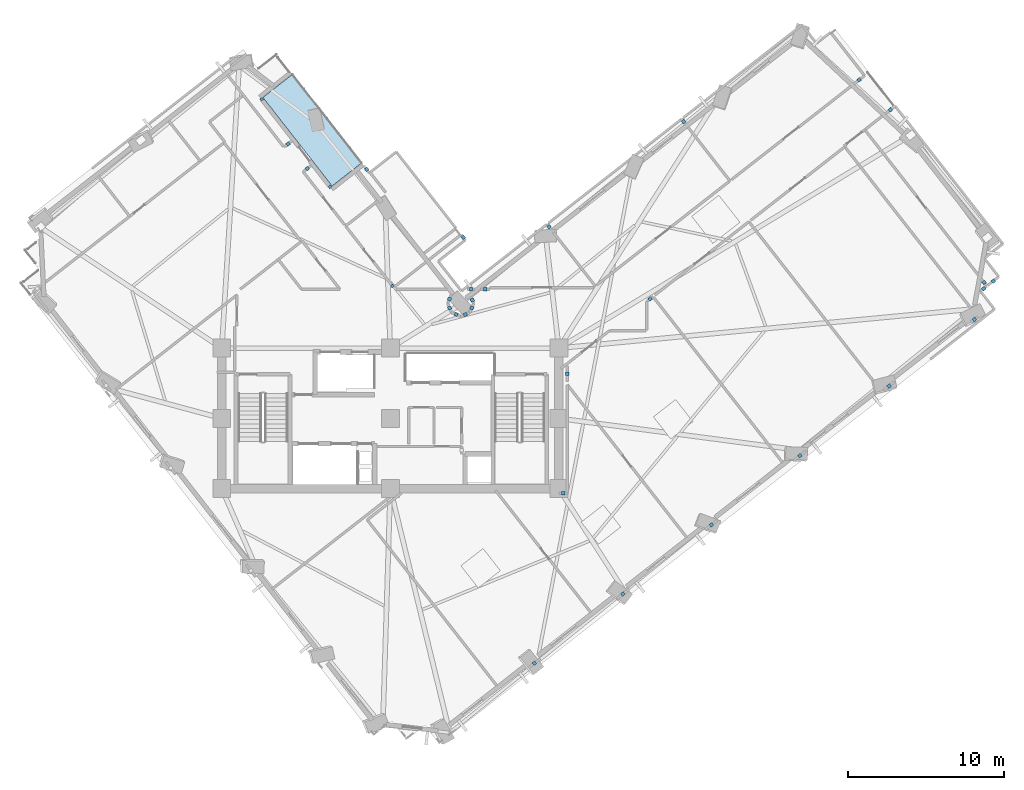
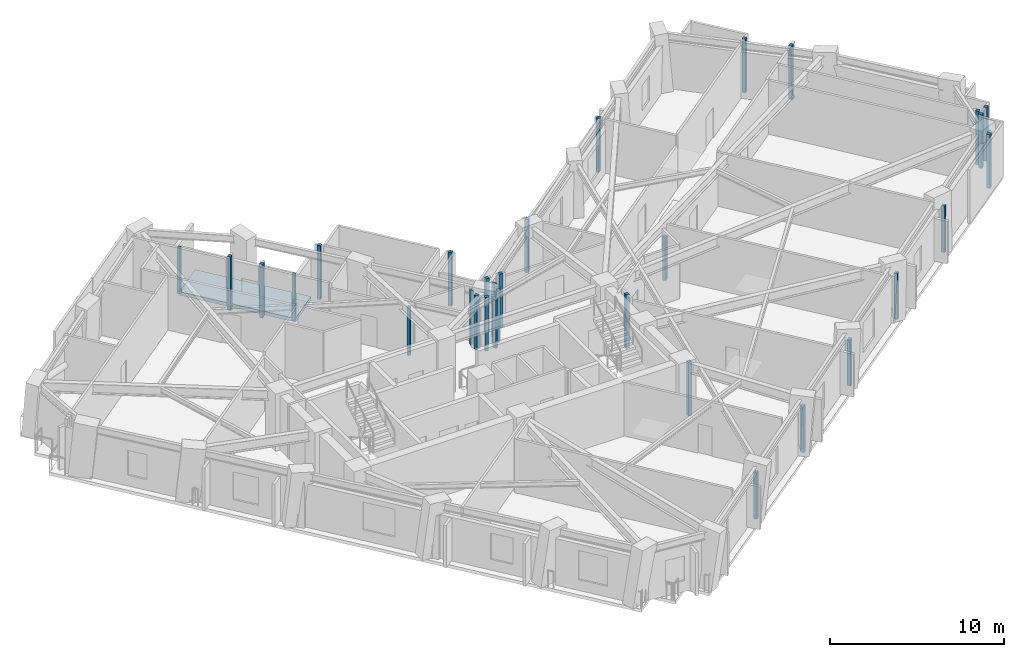
# One storey, part 4 of 14: 31 plates, 1 slab.
"""IFC4 building model written with IfcOpenShell, lengths in metres."""

from ifc_helpers import new_model, si_unit, direction, frame, origin, origin_2d, place, context, subcontext, project, spatial, polyline, rectangle, outline, extrude, material, layer, layer_set, type_object, element, save


model = new_model("IFC4")

# Units and contexts
model_context = context("Model", 3, precision=1e-05, world=origin(), true_north=direction((0.0, 1.0)))
body_context = subcontext(model_context, "Body", "Model", "MODEL_VIEW")
ifc_project = project(units=[si_unit("LENGTHUNIT", "METRE"), si_unit("AREAUNIT", "SQUARE_METRE"), si_unit("VOLUMEUNIT", "CUBIC_METRE"), si_unit("PLANEANGLEUNIT", "RADIAN"), si_unit("MASSUNIT", "GRAM", prefix="KILO")], contexts=[model_context])

# Site, building, storey
site_placement = place(None, origin())
site = spatial("IfcSite", under=ifc_project, at=site_placement, CompositionType="ELEMENT")
building_placement = place(site_placement, origin())
building = spatial("IfcBuilding", under=site, at=building_placement, Name="Gaonmaruhae Medical Tower", CompositionType="ELEMENT")
storey_placement = place(building_placement, frame((0.0, 0.0, 185.800048828125)))
storey = spatial("IfcBuildingStorey", under=building, at=storey_placement, Name="L44", CompositionType="ELEMENT", Elevation=185.800048828125)

# Plates
ifc_material_1 = material(Name="Anodised aluminium 6063-T6", Category="aluminium")
ifc_layer_1 = layer(ifc_material_1, 0.011962890625)
ifc_layer_set_1 = layer_set([ifc_layer_1], Name="Anodised aluminium 6063-T6")
plate_type = type_object("IfcPlateType", Name="PP-01 Interior Partition Corner Stiffener Plate", PredefinedType="SHEET", material=ifc_layer_set_1)
for number, where, z_axis, x_axis, name in (
    (1, (16.552001953125, 32.749267578125, 0.0), (0.0, 0.0, 1.0), (0.615661475326, -0.788010753607, 0.0), "L44 Partition End Jamb Post Plate PLT-L44-ENDP-TERB-0"),
    (2, (20.935546875, 27.138671875, 0.0), (0.0, 0.0, 1.0), (0.615661475326, -0.788010753607, 0.0), "L44 Partition End Jamb Post Plate PLT-L44-ENDP-TERB-1"),
):
    element("IfcPlate", number, at=place(storey_placement, frame(where, z_axis=z_axis, x_axis=x_axis)), inside=storey, type_object=plate_type, Name=name, PredefinedType="SHEET", context=body_context, shape_type="SweptSolid", body=[
        extrude(rectangle(XDim=0.179931640625, YDim=0.179931640625, at=origin_2d()), origin(), (0.0, 0.0, 1.0), 3.264892578125),
    ])
plate_1_placement = place(storey_placement, frame((24.92919921875, 20.7919921875, 0.0), z_axis=(0.0, 0.0, 1.0), x_axis=(-0.61564772185, 0.788021498807, 0.0)))
element("IfcPlate", 3, at=plate_1_placement, inside=storey, type_object=plate_type, Name="L44 Partition End Jamb Post Plate PLT-L44-ENDP-PW076-0", PredefinedType="SHEET", context=body_context, shape_type="SweptSolid", body=[
    extrude(rectangle(XDim=0.179931640625, YDim=0.179931640625, at=origin_2d()), origin(), (0.0, 0.0, 1.0), 3.4150390625),
])
for number, where, z_axis, x_axis, name in (
    (4, (34.032958984375, -3.389892578125, 0.0), (0.0, 0.0, 1.0), (-0.787989262487, -0.615688981715, 0.0), "L44 Partition Corner Stiffener Plate PLT-L44-JGP-PW008"),
    (5, (39.70556640625, 1.04296875, 0.0), (0.0, 0.0, 1.0), (-0.788193389355, -0.615427640732, 0.0), "L44 Partition Corner Stiffener Plate PLT-L44-JGP-PW013"),
):
    element("IfcPlate", number, at=place(storey_placement, frame(where, z_axis=z_axis, x_axis=x_axis)), inside=storey, type_object=plate_type, Name=name, PredefinedType="SHEET", context=body_context, shape_type="SweptSolid", body=[
        extrude(rectangle(XDim=0.219970703125, YDim=0.219970703125, at=origin_2d()), origin(), (0.0, 0.0, 1.0), 3.264892578125),
    ])
plate_2_placement = place(storey_placement, frame((35.875, 7.5, 0.0), z_axis=(0.0, 0.0, 1.0), x_axis=(1.0, 0.0, 0.0)))
element("IfcPlate", 6, at=plate_2_placement, inside=storey, type_object=plate_type, Name="L44 Partition Corner Stiffener Plate PLT-L44-JGP-PW014", PredefinedType="SHEET", context=body_context, shape_type="SweptSolid", body=[
    extrude(rectangle(XDim=0.219970703125, YDim=0.219970703125, at=origin_2d()), origin(), (0.0, 0.0, 1.0), 3.780029296875),
])
plate_3_placement = place(storey_placement, frame((41.452392578125, 19.95849609375, 0.0), z_axis=(0.0, 0.0, 1.0), x_axis=(0.787731294167, 0.616018999861, 0.0)))
element("IfcPlate", 7, at=plate_3_placement, inside=storey, type_object=plate_type, Name="L44 Partition Corner Stiffener Plate PLT-L44-JGP-PW017", PredefinedType="SHEET", context=body_context, shape_type="SweptSolid", body=[
    extrude(rectangle(XDim=0.219970703125, YDim=0.219970703125, at=origin_2d()), origin(), (0.0, 0.0, 1.0), 3.06494140625),
])
plate_4_placement = place(storey_placement, frame((45.37890625, 5.4755859375, 0.0), z_axis=(0.0, 0.0, 1.0), x_axis=(-0.787989262487, -0.615688981715, 0.0)))
element("IfcPlate", 8, at=plate_4_placement, inside=storey, type_object=plate_type, Name="L44 Partition Corner Stiffener Plate PLT-L44-JGP-PW019", PredefinedType="SHEET", context=body_context, shape_type="SweptSolid", body=[
    extrude(rectangle(XDim=0.219970703125, YDim=0.219970703125, at=origin_2d()), origin(), (0.0, 0.0, 1.0), 3.264892578125),
])
plate_5_placement = place(storey_placement, frame((36.14990234375, 15.156005859375, 0.0), z_axis=(0.0, 0.0, 1.0), x_axis=(0.0, 1.0, 0.0)))
element("IfcPlate", 9, at=plate_5_placement, inside=storey, type_object=plate_type, Name="L44 Partition Corner Stiffener Plate PLT-L44-JGP-PW020", PredefinedType="SHEET", context=body_context, shape_type="SweptSolid", body=[
    extrude(rectangle(XDim=0.219970703125, YDim=0.219970703125, at=origin_2d()), origin(), (0.0, 0.0, 1.0), 3.780029296875),
])
plate_6_placement = place(storey_placement, frame((51.052001953125, 9.907958984375, 0.0), z_axis=(0.0, 0.0, 1.0), x_axis=(-0.787720542487, -0.616032748272, 0.0)))
element("IfcPlate", 10, at=plate_6_placement, inside=storey, type_object=plate_type, Name="L44 Partition Corner Stiffener Plate PLT-L44-JGP-PW025", PredefinedType="SHEET", context=body_context, shape_type="SweptSolid", body=[
    extrude(rectangle(XDim=0.219970703125, YDim=0.219970703125, at=origin_2d()), origin(), (0.0, 0.0, 1.0), 3.264892578125),
])
plate_7_placement = place(storey_placement, frame((62.236083984375, 18.6455078125, 0.0), z_axis=(0.0, 0.0, 1.0), x_axis=(-0.788021498807, -0.61564772185, 0.0)))
element("IfcPlate", 11, at=plate_7_placement, inside=storey, type_object=plate_type, Name="L44 Partition Corner Stiffener Plate PLT-L44-JGP-PW028", PredefinedType="SHEET", context=body_context, shape_type="SweptSolid", body=[
    extrude(rectangle(XDim=0.219970703125, YDim=0.219970703125, at=origin_2d()), origin(), (0.0, 0.0, 1.0), 3.780029296875),
])
plate_8_placement = place(storey_placement, frame((56.76611328125, 14.3720703125, 0.0), z_axis=(0.0, 0.0, 1.0), x_axis=(-0.787989262487, -0.615688981715, 0.0)))
element("IfcPlate", 12, at=plate_8_placement, inside=storey, type_object=plate_type, Name="L44 Partition Corner Stiffener Plate PLT-L44-JGP-PW029", PredefinedType="SHEET", context=body_context, shape_type="SweptSolid", body=[
    extrude(rectangle(XDim=0.219970703125, YDim=0.219970703125, at=origin_2d()), origin(), (0.0, 0.0, 1.0), 3.264892578125),
])
for number, where, z_axis, x_axis, name in (
    (13, (34.969970703125, 24.57958984375, 0.0), (0.0, 0.0, 1.0), (0.615688981715, -0.787989262487, 0.0), "L44 Partition Corner Stiffener Plate PLT-L44-JGP-PW047"),
    (14, (30.8740234375, 20.580078125, 0.0), (0.0, 0.0, 1.0), (-1.0, 0.0, 0.0), "L44 Partition Corner Stiffener Plate PLT-L44-JGP-PW050"),
    (15, (29.972900390625, 20.5791015625, 0.0), (0.0, 0.0, 1.0), (-1.0, 0.0, 0.0), "L44 Partition Corner Stiffener Plate PLT-L44-JGP-PW051"),
    (16, (30.055908203125, 19.885009765625, 0.0), (0.0, 0.0, 1.0), (0.383102636182, -0.923705781161, 0.0), "L44 Partition Corner Stiffener Plate PLT-L44-JGP-PW052"),
    (17, (30.02392578125, 19.37353515625, 0.0), (0.0, 0.0, 1.0), (-0.382715681611, -0.923866173777, 0.0), "L44 Partition Corner Stiffener Plate PLT-L44-JGP-PW053"),
):
    element("IfcPlate", number, at=place(storey_placement, frame(where, z_axis=z_axis, x_axis=x_axis)), inside=storey, type_object=plate_type, Name=name, PredefinedType="SHEET", context=body_context, shape_type="SweptSolid", body=[
        extrude(rectangle(XDim=0.219970703125, YDim=0.219970703125, at=origin_2d()), origin(), (0.0, 0.0, 1.0), 3.780029296875),
    ])
plate_9_placement = place(storey_placement, frame((29.60693359375, 18.95654296875, 0.0), z_axis=(0.0, 0.0, 1.0), x_axis=(-0.923538533177, -0.383505642381, 0.0)))
element("IfcPlate", 18, at=plate_9_placement, inside=storey, type_object=plate_type, Name="L44 Partition Corner Stiffener Plate PLT-L44-JGP-PW054", PredefinedType="SHEET", context=body_context, shape_type="SweptSolid", body=[
    extrude(rectangle(XDim=0.219970703125, YDim=0.219970703125, at=origin_2d()), origin(), (0.0, 0.0, 1.0), 3.4150390625),
])
for number, where, z_axis, x_axis, name in (
    (19, (29.017578125, 18.95654296875, 0.0), (0.0, 0.0, 1.0), (-0.923310793754, 0.384053613623, 0.0), "L44 Partition Corner Stiffener Plate PLT-L44-JGP-PW055"),
    (20, (28.6005859375, 19.37353515625, 0.0), (0.0, 0.0, 1.0), (-0.384053613623, 0.923310793754, 0.0), "L44 Partition Corner Stiffener Plate PLT-L44-JGP-PW056"),
    (21, (28.594970703125, 19.949462890625, 0.0), (0.0, 0.0, 1.0), (0.383795761638, 0.923418005753, 0.0), "L44 Partition Corner Stiffener Plate PLT-L44-JGP-PW057"),
    (22, (29.48193359375, 23.8984375, 0.0), (0.0, 0.0, 1.0), (0.616541307519, -0.787322561676, 0.0), "L44 Partition Corner Stiffener Plate PLT-L44-JGP-PW061"),
    (23, (43.597900390625, 31.319580078125, 0.0), (0.0, 0.0, 1.0), (0.615688981715, -0.787989262487, 0.0), "L44 Partition Corner Stiffener Plate PLT-L44-JGP-PW065"),
    (24, (54.847412109375, 33.989013671875, 0.0), (0.0, 0.0, 1.0), (-0.787699038408, -0.616060244531, 0.0), "L44 Partition Corner Stiffener Plate PLT-L44-JGP-PW069"),
    (25, (19.47802734375, 28.3095703125, 0.0), (0.0, 0.0, 1.0), (0.788300789736, 0.615290065661, 0.0), "L44 Partition Corner Stiffener Plate PLT-L44-JGP-PW079"),
    (26, (23.283447265625, 28.259033203125, 0.0), (0.0, 0.0, 1.0), (0.616060244531, -0.787699038408, 0.0), "L44 Partition Corner Stiffener Plate PLT-L44-JGP-PW080"),
    (27, (18.2470703125, 29.885498046875, 0.0), (0.0, 0.0, 1.0), (-0.788300789736, -0.615290065661, 0.0), "L44 Partition Corner Stiffener Plate PLT-L44-JGP-PW082"),
    (28, (62.8359375, 20.612060546875, 0.0), (0.0, 0.0, 1.0), (-0.788311528453, -0.615276307123, 0.0), "L44 Partition Corner Stiffener Plate PLT-L44-JGP-PW099"),
    (29, (62.85888671875, 21.0048828125, 0.0), (0.0, 0.0, 1.0), (0.615578951657, -0.788075221205, 0.0), "L44 Partition Corner Stiffener Plate PLT-L44-JGP-PW104"),
    (30, (63.450439453125, 21.092041015625, 0.0), (0.0, 0.0, 1.0), (-0.788236352389, -0.615372612953, 0.0), "L44 Partition Corner Stiffener Plate PLT-L44-JGP-PW106"),
    (31, (56.843017578125, 32.071044921875, 0.0), (0.0, 0.0, 1.0), (0.787763547766, 0.615977753503, 0.0), "L44 Partition Corner Stiffener Plate PLT-L44-JGP-PW108"),
):
    element("IfcPlate", number, at=place(storey_placement, frame(where, z_axis=z_axis, x_axis=x_axis)), inside=storey, type_object=plate_type, Name=name, PredefinedType="SHEET", context=body_context, shape_type="SweptSolid", body=[
        extrude(rectangle(XDim=0.219970703125, YDim=0.219970703125, at=origin_2d()), origin(), (0.0, 0.0, 1.0), 3.780029296875),
    ])

# Slab
ifc_material_2 = material(Name="Concrete C40/50", Category="concrete")
ifc_layer_2 = layer(ifc_material_2, 0.239990234375)
ifc_layer_set_2 = layer_set([ifc_layer_2], Name="Concrete C40/50")
slab_type = type_object("IfcSlabType", Name="TS-240 Sky Garden & Recovery Terrace Slab", PredefinedType="FLOOR", material=ifc_layer_set_2)
slab_placement = place(storey_placement, frame((0.0, 0.0, -0.239990234375)))
element("IfcSlab", 32, at=slab_placement, inside=storey, type_object=slab_type, Name="L44 Outdoor Recovery Terrace Slab", PredefinedType="FLOOR", context=body_context, shape_type="SweptSolid", body=[
    extrude(outline(polyline([(21.0703125, 27.193359375), (22.961669921875, 28.6708984375), (18.52880859375, 34.3447265625), (16.6376953125, 32.866943359375), (21.0703125, 27.193359375)])), origin(), (0.0, 0.0, 1.0), 0.239990234375),
])

save(model, "model.ifc")
